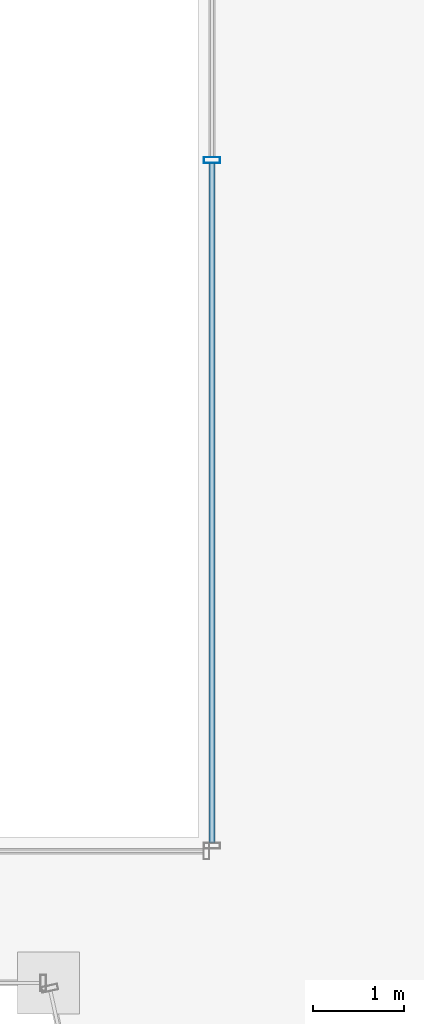
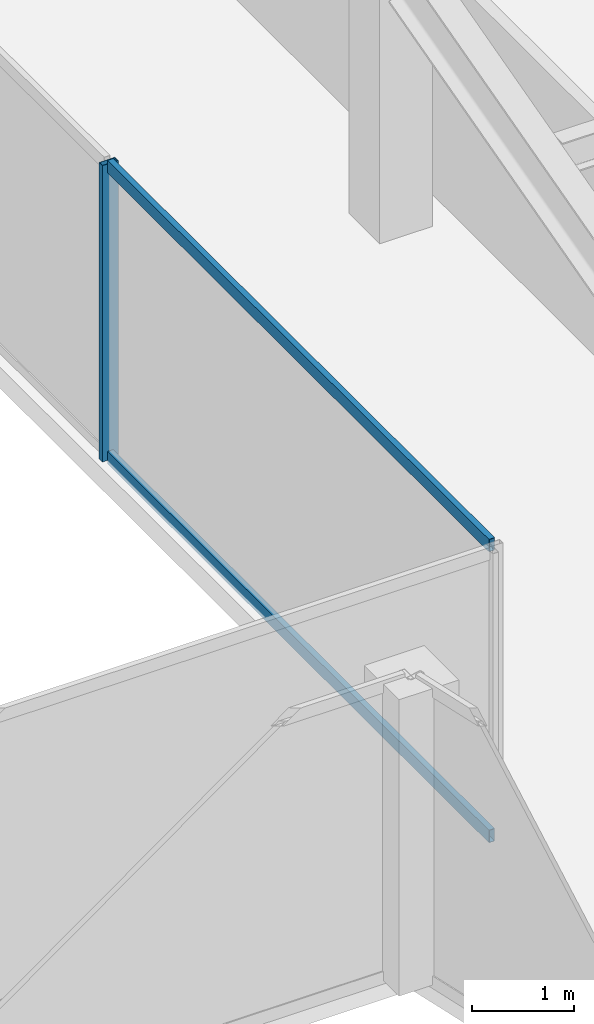
# One storey, part 13 of 40: 3 members, 1 element without a shape of its own.
"""IFC4 building model written with IfcOpenShell, lengths in metres."""

from ifc_helpers import new_model, si_unit, direction, frame, origin, origin_2d, place, context, subcontext, project, spatial, hollow_rectangle, extrude, material, material_profile, profile_set, type_object, element, aggregate, save


model = new_model("IFC4")

# Units and contexts
model_context = context("Model", 3, precision=1e-05, world=origin(), true_north=direction((0.0, 1.0)))
body_context = subcontext(model_context, "Body", "Model", "MODEL_VIEW")
ifc_project = project(units=[si_unit("LENGTHUNIT", "METRE"), si_unit("AREAUNIT", "SQUARE_METRE"), si_unit("VOLUMEUNIT", "CUBIC_METRE"), si_unit("PLANEANGLEUNIT", "RADIAN"), si_unit("MASSUNIT", "GRAM", prefix="KILO")], contexts=[model_context])

# Site, building, storey
site_placement = place(None, origin())
site = spatial("IfcSite", under=ifc_project, at=site_placement, CompositionType="ELEMENT")
building_placement = place(site_placement, origin())
building = spatial("IfcBuilding", under=site, at=building_placement, Name="Saevonmaru Cultural Tower", CompositionType="ELEMENT")
storey_placement = place(building_placement, frame((0.0, 0.0, 129.60009765625)))
storey = spatial("IfcBuildingStorey", under=building, at=storey_placement, Name="L27", CompositionType="ELEMENT", Elevation=129.60009765625)

# Curtain wall, members
ifc_material = material(Name="Satin Bronze Anodised Aluminium", Category="aluminium")
curtain_wall_type = type_object("IfcCurtainWallType", Name="CW-ATR-GLZ", PredefinedType="NOTDEFINED", material=ifc_material)
curtain_wall_placement = place(storey_placement, origin())
curtain_wall = element("IfcCurtainWall", 1, at=curtain_wall_placement, inside=storey, type_object=curtain_wall_type, Name="L27 Vertical Atrium Glazed Smoke Screen 2", PredefinedType="NOTDEFINED")
ifc_material_profile_1 = material_profile(ifc_material, hollow_rectangle(XDim=0.06494140625, YDim=0.179931640625, WallThickness=0.00390625, at=origin_2d()), Name="ALU-MULL-180x65x4")
ifc_profile_set_1 = profile_set([ifc_material_profile_1], Name="Satin Bronze Anodised Aluminium")
member_type_1 = type_object("IfcMemberType", Name="ML-CW-INT-180x65", PredefinedType="MULLION", material=ifc_profile_set_1)
member_1_placement = place(storey_placement, frame((35.949951171875, 29.860107421875, 0.0), z_axis=(0.0, 0.0, 1.0), x_axis=(0.0, 1.0, 0.0)))
member_1 = element("IfcMember", 2, at=member_1_placement, type_object=member_type_1, Name="CW-ATR-L27-2 mullion 2", PredefinedType="MULLION", context=body_context, shape_type="SweptSolid", body=[
    extrude(hollow_rectangle(XDim=0.06494140625, YDim=0.179931640625, WallThickness=0.00390625, at=origin_2d()), origin(), (0.0, 0.0, 1.0), 3.5498046875),
])
ifc_material_profile_2 = material_profile(ifc_material, hollow_rectangle(XDim=0.06494140625, YDim=0.14990234375, WallThickness=0.00390625, at=origin_2d()), Name="ALU-TRAN-150x65x4")
ifc_profile_set_2 = profile_set([ifc_material_profile_2], Name="Satin Bronze Anodised Aluminium")
member_type_2 = type_object("IfcMemberType", Name="TR-CW-INT-150x65", PredefinedType="USERDEFINED", material=ifc_profile_set_2)
member_2_placement = place(storey_placement, frame((35.949951171875, 22.342529296875, 0.032470703125), z_axis=(0.0, 1.0, 0.0), x_axis=(-1.0, 0.0, 0.0)))
member_2 = element("IfcMember", 3, at=member_2_placement, type_object=member_type_2, Name="CW-ATR-L27-2 transom 1.1", ObjectType="TRANSOM", PredefinedType="USERDEFINED", context=body_context, shape_type="SweptSolid", body=[
    extrude(hollow_rectangle(XDim=0.06494140625, YDim=0.14990234375, WallThickness=0.00390625, at=origin_2d()), origin(), (0.0, 0.0, 1.0), 7.48486328125),
])
member_3_placement = place(storey_placement, frame((35.949951171875, 22.342529296875, 3.517333984375), z_axis=(0.0, 1.0, 0.0), x_axis=(-1.0, 0.0, 0.0)))
member_3 = element("IfcMember", 4, at=member_3_placement, type_object=member_type_2, Name="CW-ATR-L27-2 transom 1.2", ObjectType="TRANSOM", PredefinedType="USERDEFINED", context=body_context, shape_type="SweptSolid", body=[
    extrude(hollow_rectangle(XDim=0.06494140625, YDim=0.14990234375, WallThickness=0.00390625, at=origin_2d()), origin(), (0.0, 0.0, 1.0), 7.48486328125),
])
aggregate(curtain_wall, [member_1, member_2, member_3])

save(model, "model.ifc")
